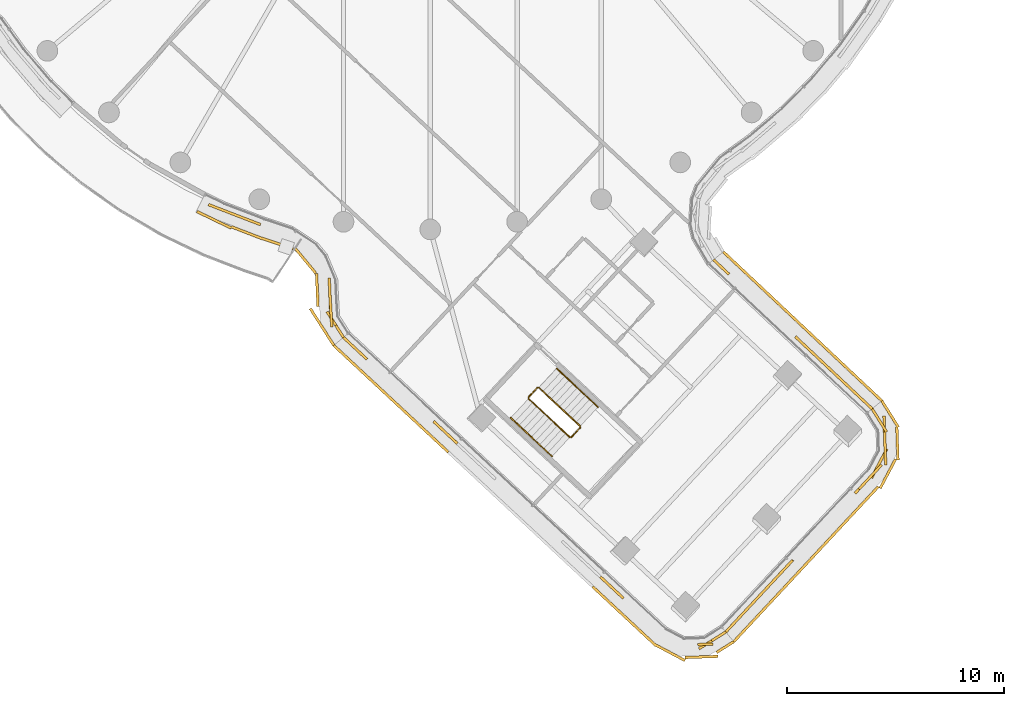
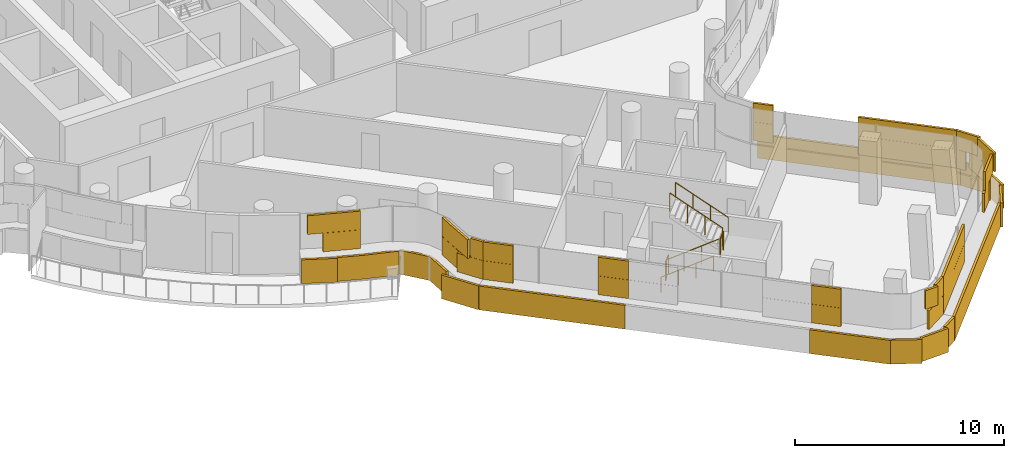
# One storey, part 24 of 30: 6 railings, 5 coverings.
"""IFC4 building model written with IfcOpenShell, lengths in metres."""

from ifc_helpers import new_model, si_unit, direction, frame, origin, origin_2d, place, context, subcontext, project, spatial, rectangle, circle, extrude, material, layer, layer_set, type_object, element, save


model = new_model("IFC4")

# Units and contexts
model_context = context("Model", 3, precision=1e-05, world=origin(), true_north=direction((0.0, 1.0)))
body_context = subcontext(model_context, "Body", "Model", "MODEL_VIEW")
ifc_project = project(units=[si_unit("LENGTHUNIT", "METRE"), si_unit("AREAUNIT", "SQUARE_METRE"), si_unit("VOLUMEUNIT", "CUBIC_METRE"), si_unit("PLANEANGLEUNIT", "RADIAN"), si_unit("MASSUNIT", "GRAM", prefix="KILO")], contexts=[model_context])

# Site, building, storey
site_placement = place(None, origin())
site = spatial("IfcSite", under=ifc_project, at=site_placement, CompositionType="ELEMENT")
building_placement = place(site_placement, origin())
building = spatial("IfcBuilding", under=site, at=building_placement, Name="Tamarind Cross Interchange Tower", CompositionType="ELEMENT")
storey_placement = place(building_placement, frame((0.0, 0.0, 204.10009765625)))
storey = spatial("IfcBuildingStorey", under=building, at=storey_placement, Name="L51", CompositionType="ELEMENT", Elevation=204.10009765625)

# Railings
ifc_material_1 = material(Name="Stair guard")
railing_type_1 = type_object("IfcRailingType", Name="Stair guard", PredefinedType="GUARDRAIL", material=ifc_material_1)
railing_1_placement = place(storey_placement, frame((4.519287109375, -30.791259765625, 0.16357421875)))
element("IfcRailing", 1, at=railing_1_placement, inside=storey, type_object=railing_type_1, Name="L51 ST6 stair guard 1", PredefinedType="GUARDRAIL", context=body_context, shape_type="SweptSolid", body=[
    extrude(circle(Radius=0.02392578125, at=origin_2d()), frame((0.0, 0.0, 1.076171875), z_axis=(0.619155586453, -0.577036158803, 0.532612083225), x_axis=(0.681786135412, 0.731551546756, 0.0)), (0.0, 0.0, 1.0), 3.072021484375),
    extrude(circle(Radius=0.02099609375, at=origin_2d()), origin(), (0.0, 0.0, 1.0), 1.052001953125),
    extrude(circle(Radius=0.02099609375, at=origin_2d()), frame((0.634033203125, -0.5908203125, 0.54541015625)), (0.0, 0.0, 1.0), 1.052001953125),
    extrude(circle(Radius=0.02099609375, at=origin_2d()), frame((1.26806640625, -1.181884765625, 1.0908203125)), (0.0, 0.0, 1.0), 1.052001953125),
    extrude(circle(Radius=0.02099609375, at=origin_2d()), frame((1.902099609375, -1.772705078125, 1.63623046875)), (0.0, 0.0, 1.0), 1.052001953125),
])
railing_2_placement = place(storey_placement, frame((6.491943359375, -32.5615234375, 1.7998046875)))
element("IfcRailing", 2, at=railing_2_placement, inside=storey, type_object=railing_type_1, Name="L51 ST6 stair guard 2", PredefinedType="GUARDRAIL", context=body_context, shape_type="SweptSolid", body=[
    extrude(circle(Radius=0.02392578125, at=origin_2d()), frame((0.0, 0.0, 1.076171875), z_axis=(0.681854263948, 0.731488046885, 0.0), x_axis=(-0.731488046885, 0.681854263948, 0.0)), (0.0, 0.0, 1.0), 0.60009765625),
    extrude(circle(Radius=0.02099609375, at=origin_2d()), origin(), (0.0, 0.0, 1.0), 1.052001953125),
    extrude(circle(Radius=0.02099609375, at=origin_2d()), frame((0.4091796875, 0.43896484375, 0.0)), (0.0, 0.0, 1.0), 1.052001953125),
])
railing_3_placement = place(storey_placement, frame((6.898681640625, -32.052001953125, 1.963623046875)))
element("IfcRailing", 3, at=railing_3_placement, inside=storey, type_object=railing_type_1, Name="L51 ST6 stair guard 3", PredefinedType="GUARDRAIL", context=body_context, shape_type="SweptSolid", body=[
    extrude(circle(Radius=0.02392578125, at=origin_2d()), frame((0.0, 0.0, 1.076171875), z_axis=(-0.619155586453, 0.577036158803, 0.532612083225), x_axis=(-0.681786135412, -0.731551546756, 0.0)), (0.0, 0.0, 1.0), 3.072021484375),
    extrude(circle(Radius=0.02099609375, at=origin_2d()), origin(), (0.0, 0.0, 1.0), 1.052001953125),
    extrude(circle(Radius=0.02099609375, at=origin_2d()), frame((-0.634033203125, 0.5908203125, 0.54541015625)), (0.0, 0.0, 1.0), 1.052001953125),
    extrude(circle(Radius=0.02099609375, at=origin_2d()), frame((-1.26806640625, 1.181884765625, 1.0908203125)), (0.0, 0.0, 1.0), 1.052001953125),
    extrude(circle(Radius=0.02099609375, at=origin_2d()), frame((-1.902099609375, 1.772705078125, 1.63623046875)), (0.0, 0.0, 1.0), 1.052001953125),
])
railing_4_placement = place(storey_placement, frame((4.516845703125, -30.720703125, 0.0)))
element("IfcRailing", 4, at=railing_4_placement, inside=storey, type_object=railing_type_1, Name="L51 ST6 stair guard 4", PredefinedType="GUARDRAIL", context=body_context, shape_type="SweptSolid", body=[
    extrude(circle(Radius=0.02392578125, at=origin_2d()), frame((0.0, 0.0, 1.076171875), z_axis=(0.681854263948, 0.731488046885, 0.0), x_axis=(-0.731488046885, 0.681854263948, 0.0)), (0.0, 0.0, 1.0), 0.60009765625),
    extrude(circle(Radius=0.02099609375, at=origin_2d()), origin(), (0.0, 0.0, 1.0), 1.052001953125),
    extrude(circle(Radius=0.02099609375, at=origin_2d()), frame((0.4091796875, 0.43896484375, 0.0)), (0.0, 0.0, 1.0), 1.052001953125),
])
ifc_material_2 = material(Name="Stair handrail")
railing_type_2 = type_object("IfcRailingType", Name="Stair handrail", PredefinedType="HANDRAIL", material=ifc_material_2)
railing_5_placement = place(storey_placement, frame((3.701171875, -31.669189453125, 0.16357421875)))
element("IfcRailing", 5, at=railing_5_placement, inside=storey, type_object=railing_type_2, Name="L51 ST6 stair handrail 1", PredefinedType="HANDRAIL", context=body_context, shape_type="SweptSolid", body=[
    extrude(circle(Radius=0.02392578125, at=origin_2d()), frame((0.0, 0.0, 0.8759765625), z_axis=(0.619155586453, -0.577036158803, 0.532612083225), x_axis=(0.681786135412, 0.731551546756, 0.0)), (0.0, 0.0, 1.0), 3.072021484375),
    extrude(circle(Radius=0.02099609375, at=origin_2d()), origin(), (0.0, 0.0, 1.0), 0.851806640625),
    extrude(circle(Radius=0.02099609375, at=origin_2d()), frame((0.634033203125, -0.5908203125, 0.54541015625)), (0.0, 0.0, 1.0), 0.851806640625),
    extrude(circle(Radius=0.02099609375, at=origin_2d()), frame((1.26806640625, -1.181884765625, 1.0908203125)), (0.0, 0.0, 1.0), 0.851806640625),
    extrude(circle(Radius=0.02099609375, at=origin_2d()), frame((1.902099609375, -1.772705078125, 1.63623046875)), (0.0, 0.0, 1.0), 0.851806640625),
])
railing_6_placement = place(storey_placement, frame((7.716796875, -31.174072265625, 1.963623046875)))
element("IfcRailing", 6, at=railing_6_placement, inside=storey, type_object=railing_type_2, Name="L51 ST6 stair handrail 2", PredefinedType="HANDRAIL", context=body_context, shape_type="SweptSolid", body=[
    extrude(circle(Radius=0.02392578125, at=origin_2d()), frame((0.0, 0.0, 0.8759765625), z_axis=(-0.619155586453, 0.577036158803, 0.532612083225), x_axis=(-0.681786135412, -0.731551546756, 0.0)), (0.0, 0.0, 1.0), 3.072021484375),
    extrude(circle(Radius=0.02099609375, at=origin_2d()), origin(), (0.0, 0.0, 1.0), 0.851806640625),
    extrude(circle(Radius=0.02099609375, at=origin_2d()), frame((-0.634033203125, 0.5908203125, 0.54541015625)), (0.0, 0.0, 1.0), 0.851806640625),
    extrude(circle(Radius=0.02099609375, at=origin_2d()), frame((-1.26806640625, 1.181884765625, 1.0908203125)), (0.0, 0.0, 1.0), 0.851806640625),
    extrude(circle(Radius=0.02099609375, at=origin_2d()), frame((-1.902099609375, 1.772705078125, 1.63623046875)), (0.0, 0.0, 1.0), 0.851806640625),
])

# Coverings
ifc_material_3 = material(Name="Terracotta", Category="masonry")
ifc_layer = layer(ifc_material_3, 0.1201171875)
ifc_layer_set = layer_set([ifc_layer], Name="Terracotta")
covering_type = type_object("IfcCoveringType", Name="Terracotta baguette screen unit", PredefinedType="MOLDING", material=ifc_layer_set)
covering_1_placement = place(storey_placement, origin())
element("IfcCovering", 7, at=covering_1_placement, inside=storey, type_object=covering_type, Name="SCR-L51-02-01", PredefinedType="MOLDING", context=body_context, shape_type="SweptSolid", body=[
    extrude(rectangle(XDim=1.52001953125, YDim=0.1201171875, at=origin_2d()), frame((-8.799072265625, -22.399658203125, 1.40380859375), z_axis=(0.0, 0.0, 1.0), x_axis=(0.933146843667, -0.359495435512, 0.0)), (0.0, 0.0, 1.0), 1.092041015625),
    extrude(rectangle(XDim=0.313232421875, YDim=0.1201171875, at=origin_2d()), frame((-7.957763671875, -22.723876953125, 1.40380859375), z_axis=(0.0, 0.0, 1.0), x_axis=(0.933146843667, -0.359495435512, 0.0)), (0.0, 0.0, 1.0), 1.092041015625),
    extrude(rectangle(XDim=1.5068359375, YDim=0.1201171875, at=origin_2d()), frame((-4.618408203125, -25.988525390625, 1.40380859375), z_axis=(0.0, 0.0, 1.0), x_axis=(0.044216981257, -0.999021950994, 0.0)), (0.0, 0.0, 1.0), 1.092041015625),
    extrude(rectangle(XDim=1.4052734375, YDim=0.1201171875, at=origin_2d()), frame((-4.37060546875, -27.37939453125, 1.40380859375), z_axis=(0.0, 0.0, 1.0), x_axis=(0.53717022134, -0.843473860475, 0.0)), (0.0, 0.0, 1.0), 1.092041015625),
    extrude(rectangle(XDim=1.52001953125, YDim=0.1201171875, at=origin_2d()), frame((-9.498779296875, -22.130126953125, 2.50390625), z_axis=(0.0, 0.0, 1.0), x_axis=(0.933146843667, -0.359495435512, 0.0)), (0.0, 0.0, 1.0), 1.092041015625),
    extrude(rectangle(XDim=1.063232421875, YDim=0.1201171875, at=origin_2d()), frame((-8.3076171875, -22.589111328125, 2.50390625), z_axis=(0.0, 0.0, 1.0), x_axis=(0.933146843667, -0.359495435512, 0.0)), (0.0, 0.0, 1.0), 1.092041015625),
    extrude(rectangle(XDim=0.7568359375, YDim=0.1201171875, at=origin_2d()), frame((-4.635009765625, -25.614013671875, 2.50390625), z_axis=(0.0, 0.0, 1.0), x_axis=(0.044216981257, -0.999021950994, 0.0)), (0.0, 0.0, 1.0), 1.092041015625),
    extrude(rectangle(XDim=1.52001953125, YDim=0.1201171875, at=origin_2d()), frame((-4.574951171875, -26.735595703125, 2.50390625), z_axis=(0.0, 0.0, 1.0), x_axis=(0.060031687027, -0.99819647192, 0.0)), (0.0, 0.0, 1.0), 1.092041015625),
    extrude(rectangle(XDim=0.6552734375, YDim=0.1201171875, at=origin_2d()), frame((-4.169189453125, -27.695556640625, 2.50390625), z_axis=(0.0, 0.0, 1.0), x_axis=(0.53717022134, -0.843473860475, 0.0)), (0.0, 0.0, 1.0), 1.092041015625),
    extrude(rectangle(XDim=0.249267578125, YDim=0.1201171875, at=origin_2d()), frame((-10.619873046875, -22.233642578125, 0.00390625), z_axis=(0.0, 0.0, 1.0), x_axis=(0.900272776334, -0.435326231914, 0.0)), (0.0, 0.0, 1.0), 1.39208984375),
    extrude(rectangle(XDim=1.52001953125, YDim=0.1201171875, at=origin_2d()), frame((-9.84130859375, -22.610107421875, 0.00390625), z_axis=(0.0, 0.0, 1.0), x_axis=(0.900272776334, -0.435326231914, 0.0)), (0.0, 0.0, 1.0), 1.39208984375),
    extrude(rectangle(XDim=1.52001953125, YDim=0.1201171875, at=origin_2d()), frame((-8.44287109375, -23.152099609375, 0.00390625), z_axis=(0.0, 0.0, 1.0), x_axis=(0.933146843667, -0.359495435512, 0.0)), (0.0, 0.0, 1.0), 1.39208984375),
    extrude(rectangle(XDim=1.52001953125, YDim=0.1201171875, at=origin_2d()), frame((-7.028564453125, -23.65087890625, 0.00390625), z_axis=(0.0, 0.0, 1.0), x_axis=(0.94859176234, -0.316502240782, 0.0)), (0.0, 0.0, 1.0), 1.39208984375),
    extrude(rectangle(XDim=1.52001953125, YDim=0.1201171875, at=origin_2d()), frame((-5.7587890625, -24.425048828125, 0.00390625), z_axis=(0.0, 0.0, 1.0), x_axis=(0.637684419714, -0.770297722218, 0.0)), (0.0, 0.0, 1.0), 1.39208984375),
    extrude(rectangle(XDim=1.52001953125, YDim=0.1201171875, at=origin_2d()), frame((-5.2021484375, -25.785888671875, 0.00390625), z_axis=(0.0, 0.0, 1.0), x_axis=(0.044216981257, -0.999021950994, 0.0)), (0.0, 0.0, 1.0), 1.39208984375),
    extrude(rectangle(XDim=1.52001953125, YDim=0.1201171875, at=origin_2d()), frame((-5.113037109375, -27.2822265625, 0.00390625), z_axis=(0.0, 0.0, 1.0), x_axis=(0.53717022134, -0.843473860475, 0.0)), (0.0, 0.0, 1.0), 1.39208984375),
    extrude(rectangle(XDim=0.511474609375, YDim=0.1201171875, at=origin_2d()), frame((-4.578125, -28.1220703125, 0.00390625), z_axis=(0.0, 0.0, 1.0), x_axis=(0.53717022134, -0.843473860475, 0.0)), (0.0, 0.0, 1.0), 1.39208984375),
])
covering_2_placement = place(storey_placement, origin())
element("IfcCovering", 8, at=covering_2_placement, inside=storey, type_object=covering_type, Name="SCR-L51-03-00", PredefinedType="MOLDING", context=body_context, shape_type="SweptSolid", body=[
    extrude(rectangle(XDim=0.760009765625, YDim=0.1201171875, at=origin_2d()), frame((-3.721435546875, -28.223388671875, 1.40380859375), z_axis=(0.0, 0.0, 1.0), x_axis=(0.73154412297, -0.681794100992, 0.0)), (0.0, 0.0, 1.0), 1.092041015625),
    extrude(rectangle(XDim=0.735595703125, YDim=0.1201171875, at=origin_2d()), frame((-3.181640625, -28.7265625, 1.40380859375), z_axis=(0.0, 0.0, 1.0), x_axis=(0.73154412297, -0.681794100992, 0.0)), (0.0, 0.0, 1.0), 1.092041015625),
    extrude(rectangle(XDim=1.08447265625, YDim=0.1201171875, at=origin_2d()), frame((0.549072265625, -32.20361328125, 1.40380859375), z_axis=(0.0, 0.0, 1.0), x_axis=(0.73154412297, -0.681794100992, 0.0)), (0.0, 0.0, 1.0), 1.092041015625),
    extrude(rectangle(XDim=0.4111328125, YDim=0.1201171875, at=origin_2d()), frame((1.0888671875, -32.70654296875, 1.40380859375), z_axis=(0.0, 0.0, 1.0), x_axis=(0.73154412297, -0.681794100992, 0.0)), (0.0, 0.0, 1.0), 1.092041015625),
    extrude(rectangle(XDim=1.4755859375, YDim=0.1201171875, at=origin_2d()), frame((-3.4560546875, -28.470703125, 2.50390625), z_axis=(0.0, 0.0, 1.0), x_axis=(0.73154412297, -0.681794100992, 0.0)), (0.0, 0.0, 1.0), 1.092041015625),
    extrude(rectangle(XDim=0.33447265625, YDim=0.1201171875, at=origin_2d()), frame((0.27490234375, -31.947998046875, 2.50390625), z_axis=(0.0, 0.0, 1.0), x_axis=(0.73154412297, -0.681794100992, 0.0)), (0.0, 0.0, 1.0), 1.092041015625),
    extrude(rectangle(XDim=1.1611328125, YDim=0.1201171875, at=origin_2d()), frame((0.814453125, -32.450927734375, 2.50390625), z_axis=(0.0, 0.0, 1.0), x_axis=(0.73154412297, -0.681794100992, 0.0)), (0.0, 0.0, 1.0), 1.092041015625),
    extrude(rectangle(XDim=0.760009765625, YDim=0.1201171875, at=origin_2d()), frame((-4.16259765625, -28.596923828125, 0.00390625), z_axis=(0.0, 0.0, 1.0), x_axis=(0.73154412297, -0.681794100992, 0.0)), (0.0, 0.0, 1.0), 1.39208984375),
    extrude(rectangle(XDim=1.52001953125, YDim=0.1201171875, at=origin_2d()), frame((-3.34326171875, -29.360595703125, 0.00390625), z_axis=(0.0, 0.0, 1.0), x_axis=(0.73154412297, -0.681794100992, 0.0)), (0.0, 0.0, 1.0), 1.39208984375),
    extrude(rectangle(XDim=1.52001953125, YDim=0.1201171875, at=origin_2d()), frame((-2.24609375, -30.383056640625, 0.00390625), z_axis=(0.0, 0.0, 1.0), x_axis=(0.73154412297, -0.681794100992, 0.0)), (0.0, 0.0, 1.0), 1.39208984375),
    extrude(rectangle(XDim=1.52001953125, YDim=0.1201171875, at=origin_2d()), frame((-1.148681640625, -31.40576171875, 0.00390625), z_axis=(0.0, 0.0, 1.0), x_axis=(0.73154412297, -0.681794100992, 0.0)), (0.0, 0.0, 1.0), 1.39208984375),
    extrude(rectangle(XDim=1.52001953125, YDim=0.1201171875, at=origin_2d()), frame((-0.051513671875, -32.428466796875, 0.00390625), z_axis=(0.0, 0.0, 1.0), x_axis=(0.73154412297, -0.681794100992, 0.0)), (0.0, 0.0, 1.0), 1.39208984375),
    extrude(rectangle(XDim=0.46435546875, YDim=0.1201171875, at=origin_2d()), frame((0.65966796875, -33.09130859375, 0.00390625), z_axis=(0.0, 0.0, 1.0), x_axis=(0.73154412297, -0.681794100992, 0.0)), (0.0, 0.0, 1.0), 1.39208984375),
])
covering_3_placement = place(storey_placement, origin())
element("IfcCovering", 9, at=covering_3_placement, inside=storey, type_object=covering_type, Name="SCR-L51-03-02", PredefinedType="MOLDING", context=body_context, shape_type="SweptSolid", body=[
    extrude(rectangle(XDim=1.098388671875, YDim=0.1201171875, at=origin_2d()), frame((8.225341796875, -39.357666015625, 1.40380859375), z_axis=(0.0, 0.0, 1.0), x_axis=(0.73154412297, -0.681794100992, 0.0)), (0.0, 0.0, 1.0), 1.092041015625),
    extrude(rectangle(XDim=0.370849609375, YDim=0.1201171875, at=origin_2d()), frame((8.75537109375, -39.851806640625, 1.40380859375), z_axis=(0.0, 0.0, 1.0), x_axis=(0.73154412297, -0.681794100992, 0.0)), (0.0, 0.0, 1.0), 1.092041015625),
    extrude(rectangle(XDim=1.44921875, YDim=0.1201171875, at=origin_2d()), frame((12.978515625, -41.91015625, 1.40380859375), z_axis=(0.0, 0.0, 1.0), x_axis=(0.847900081717, 0.530156063272, 0.0)), (0.0, 0.0, 1.0), 1.092041015625),
    extrude(rectangle(XDim=0.348388671875, YDim=0.1201171875, at=origin_2d()), frame((7.950927734375, -39.10205078125, 2.50390625), z_axis=(0.0, 0.0, 1.0), x_axis=(0.73154412297, -0.681794100992, 0.0)), (0.0, 0.0, 1.0), 1.092041015625),
    extrude(rectangle(XDim=1.120849609375, YDim=0.1201171875, at=origin_2d()), frame((8.48095703125, -39.595947265625, 2.50390625), z_axis=(0.0, 0.0, 1.0), x_axis=(0.73154412297, -0.681794100992, 0.0)), (0.0, 0.0, 1.0), 1.092041015625),
    extrude(rectangle(XDim=0.69921875, YDim=0.1201171875, at=origin_2d()), frame((12.655517578125, -42.092529296875, 2.50390625), z_axis=(0.0, 0.0, 1.0), x_axis=(0.999381042274, 0.035178577905, 0.0)), (0.0, 0.0, 1.0), 1.092041015625),
    extrude(rectangle(XDim=0.769775390625, YDim=0.1201171875, at=origin_2d()), frame((13.27490234375, -41.724853515625, 2.50390625), z_axis=(0.0, 0.0, 1.0), x_axis=(0.847900081717, 0.530156063272, 0.0)), (0.0, 0.0, 1.0), 1.092041015625),
    extrude(rectangle(XDim=0.978271484375, YDim=0.1201171875, at=origin_2d()), frame((7.827880859375, -39.77197265625, 0.00390625), z_axis=(0.0, 0.0, 1.0), x_axis=(0.73154412297, -0.681794100992, 0.0)), (0.0, 0.0, 1.0), 1.39208984375),
    extrude(rectangle(XDim=1.52001953125, YDim=0.1201171875, at=origin_2d()), frame((8.72705078125, -40.610107421875, 0.00390625), z_axis=(0.0, 0.0, 1.0), x_axis=(0.73154412297, -0.681794100992, 0.0)), (0.0, 0.0, 1.0), 1.39208984375),
    extrude(rectangle(XDim=1.52001953125, YDim=0.1201171875, at=origin_2d()), frame((9.824462890625, -41.6328125, 0.00390625), z_axis=(0.0, 0.0, 1.0), x_axis=(0.73154412297, -0.681794100992, 0.0)), (0.0, 0.0, 1.0), 1.39208984375),
    extrude(rectangle(XDim=1.52001953125, YDim=0.1201171875, at=origin_2d()), frame((11.045654296875, -42.481689453125, 0.00390625), z_axis=(0.0, 0.0, 1.0), x_axis=(0.883078659622, -0.469224979002, 0.0)), (0.0, 0.0, 1.0), 1.39208984375),
    extrude(rectangle(XDim=1.52001953125, YDim=0.1201171875, at=origin_2d()), frame((12.488525390625, -42.672607421875, 0.00390625), z_axis=(0.0, 0.0, 1.0), x_axis=(0.999381042274, 0.035178577905, 0.0)), (0.0, 0.0, 1.0), 1.39208984375),
    extrude(rectangle(XDim=0.934814453125, YDim=0.1201171875, at=origin_2d()), frame((13.569091796875, -42.2177734375, 0.00390625), z_axis=(0.0, 0.0, 1.0), x_axis=(0.847900081717, 0.530156063272, 0.0)), (0.0, 0.0, 1.0), 1.39208984375),
])
covering_4_placement = place(storey_placement, origin())
element("IfcCovering", 10, at=covering_4_placement, inside=storey, type_object=covering_type, Name="SCR-L51-04-00", PredefinedType="MOLDING", context=body_context, shape_type="SweptSolid", body=[
    extrude(rectangle(XDim=0.760009765625, YDim=0.1201171875, at=origin_2d()), frame((13.8525390625, -41.2490234375, 1.40380859375), z_axis=(0.0, 0.0, 1.0), x_axis=(0.681794100992, 0.73154412297, 0.0)), (0.0, 0.0, 1.0), 1.092041015625),
    extrude(rectangle(XDim=1.52001953125, YDim=0.1201171875, at=origin_2d()), frame((14.61962890625, -40.426025390625, 1.40380859375), z_axis=(0.0, 0.0, 1.0), x_axis=(0.681794100992, 0.73154412297, 0.0)), (0.0, 0.0, 1.0), 1.092041015625),
    extrude(rectangle(XDim=1.52001953125, YDim=0.1201171875, at=origin_2d()), frame((15.642333984375, -39.32861328125, 1.40380859375), z_axis=(0.0, 0.0, 1.0), x_axis=(0.681794100992, 0.73154412297, 0.0)), (0.0, 0.0, 1.0), 1.092041015625),
    extrude(rectangle(XDim=0.78466796875, YDim=0.1201171875, at=origin_2d()), frame((16.417724609375, -38.49658203125, 1.40380859375), z_axis=(0.0, 0.0, 1.0), x_axis=(0.681794100992, 0.73154412297, 0.0)), (0.0, 0.0, 1.0), 1.092041015625),
    extrude(rectangle(XDim=1.03515625, YDim=0.1201171875, at=origin_2d()), frame((19.89501953125, -34.765869140625, 1.40380859375), z_axis=(0.0, 0.0, 1.0), x_axis=(0.681794100992, 0.73154412297, 0.0)), (0.0, 0.0, 1.0), 1.092041015625),
    extrude(rectangle(XDim=1.52001953125, YDim=0.1201171875, at=origin_2d()), frame((20.654541015625, -33.77001953125, 1.40380859375), z_axis=(0.0, 0.0, 1.0), x_axis=(0.469224979002, 0.883078659622, 0.0)), (0.0, 0.0, 1.0), 1.092041015625),
    extrude(rectangle(XDim=1.52001953125, YDim=0.1201171875, at=origin_2d()), frame((20.90185546875, -32.340087890625, 1.40380859375), z_axis=(0.0, 0.0, 1.0), x_axis=(-0.035178577905, 0.999381042274, 0.0)), (0.0, 0.0, 1.0), 1.092041015625),
    extrude(rectangle(XDim=0.509521484375, YDim=0.1201171875, at=origin_2d()), frame((20.460205078125, -31.46533203125, 1.40380859375), z_axis=(0.0, 0.0, 1.0), x_axis=(-0.530156063272, 0.847900081717, 0.0)), (0.0, 0.0, 1.0), 1.092041015625),
    extrude(rectangle(XDim=1.510009765625, YDim=0.1201171875, at=origin_2d()), frame((14.1083984375, -40.974609375, 2.50390625), z_axis=(0.0, 0.0, 1.0), x_axis=(0.681794100992, 0.73154412297, 0.0)), (0.0, 0.0, 1.0), 1.092041015625),
    extrude(rectangle(XDim=1.52001953125, YDim=0.1201171875, at=origin_2d()), frame((15.131103515625, -39.87744140625, 2.50390625), z_axis=(0.0, 0.0, 1.0), x_axis=(0.681794100992, 0.73154412297, 0.0)), (0.0, 0.0, 1.0), 1.092041015625),
    extrude(rectangle(XDim=1.52001953125, YDim=0.1201171875, at=origin_2d()), frame((16.15380859375, -38.780029296875, 2.50390625), z_axis=(0.0, 0.0, 1.0), x_axis=(0.681794100992, 0.73154412297, 0.0)), (0.0, 0.0, 1.0), 1.092041015625),
    extrude(rectangle(XDim=1.52001953125, YDim=0.1201171875, at=origin_2d()), frame((20.244384765625, -34.390869140625, 2.50390625), z_axis=(0.0, 0.0, 1.0), x_axis=(0.681794100992, 0.73154412297, 0.0)), (0.0, 0.0, 1.0), 1.092041015625),
    extrude(rectangle(XDim=1.52001953125, YDim=0.1201171875, at=origin_2d()), frame((20.92822265625, -33.089599609375, 2.50390625), z_axis=(0.0, 0.0, 1.0), x_axis=(-0.035178577905, 0.999381042274, 0.0)), (0.0, 0.0, 1.0), 1.092041015625),
    extrude(rectangle(XDim=1.259521484375, YDim=0.1201171875, at=origin_2d()), frame((20.658935546875, -31.783203125, 2.50390625), z_axis=(0.0, 0.0, 1.0), x_axis=(-0.530156063272, 0.847900081717, 0.0)), (0.0, 0.0, 1.0), 1.092041015625),
    extrude(rectangle(XDim=0.760009765625, YDim=0.1201171875, at=origin_2d()), frame((14.224365234375, -41.69189453125, 0.00390625), z_axis=(0.0, 0.0, 1.0), x_axis=(0.681794100992, 0.73154412297, 0.0)), (0.0, 0.0, 1.0), 1.39208984375),
    extrude(rectangle(XDim=1.52001953125, YDim=0.1201171875, at=origin_2d()), frame((14.988037109375, -40.87255859375, 0.00390625), z_axis=(0.0, 0.0, 1.0), x_axis=(0.681794100992, 0.73154412297, 0.0)), (0.0, 0.0, 1.0), 1.39208984375),
    extrude(rectangle(XDim=1.52001953125, YDim=0.1201171875, at=origin_2d()), frame((16.0107421875, -39.775390625, 0.00390625), z_axis=(0.0, 0.0, 1.0), x_axis=(0.681794100992, 0.73154412297, 0.0)), (0.0, 0.0, 1.0), 1.39208984375),
    extrude(rectangle(XDim=1.52001953125, YDim=0.1201171875, at=origin_2d()), frame((17.033447265625, -38.677978515625, 0.00390625), z_axis=(0.0, 0.0, 1.0), x_axis=(0.681794100992, 0.73154412297, 0.0)), (0.0, 0.0, 1.0), 1.39208984375),
    extrude(rectangle(XDim=1.52001953125, YDim=0.1201171875, at=origin_2d()), frame((18.05615234375, -37.580810546875, 0.00390625), z_axis=(0.0, 0.0, 1.0), x_axis=(0.681794100992, 0.73154412297, 0.0)), (0.0, 0.0, 1.0), 1.39208984375),
    extrude(rectangle(XDim=1.52001953125, YDim=0.1201171875, at=origin_2d()), frame((19.078857421875, -36.4833984375, 0.00390625), z_axis=(0.0, 0.0, 1.0), x_axis=(0.681794100992, 0.73154412297, 0.0)), (0.0, 0.0, 1.0), 1.39208984375),
    extrude(rectangle(XDim=1.52001953125, YDim=0.1201171875, at=origin_2d()), frame((20.1015625, -35.385986328125, 0.00390625), z_axis=(0.0, 0.0, 1.0), x_axis=(0.681794100992, 0.73154412297, 0.0)), (0.0, 0.0, 1.0), 1.39208984375),
    extrude(rectangle(XDim=1.52001953125, YDim=0.1201171875, at=origin_2d()), frame((21.05517578125, -34.239501953125, 0.00390625), z_axis=(0.0, 0.0, 1.0), x_axis=(0.469224979002, 0.883078659622, 0.0)), (0.0, 0.0, 1.0), 1.39208984375),
    extrude(rectangle(XDim=1.52001953125, YDim=0.1201171875, at=origin_2d()), frame((21.494384765625, -32.853759765625, 0.00390625), z_axis=(0.0, 0.0, 1.0), x_axis=(-0.035178577905, 0.999381042274, 0.0)), (0.0, 0.0, 1.0), 1.39208984375),
    extrude(rectangle(XDim=1.42578125, YDim=0.1201171875, at=origin_2d()), frame((21.153076171875, -31.49072265625, 0.00390625), z_axis=(0.0, 0.0, 1.0), x_axis=(-0.530156063272, 0.847900081717, 0.0)), (0.0, 0.0, 1.0), 1.39208984375),
])
covering_5_placement = place(storey_placement, origin())
element("IfcCovering", 11, at=covering_5_placement, inside=storey, type_object=covering_type, Name="SCR-L51-05-00", PredefinedType="MOLDING", context=body_context, shape_type="SweptSolid", body=[
    extrude(rectangle(XDim=0.760009765625, YDim=0.1201171875, at=origin_2d()), frame((20.054443359375, -30.996826171875, 1.40380859375), z_axis=(0.0, 0.0, 1.0), x_axis=(-0.728608644687, 0.684930246732, 0.0)), (0.0, 0.0, 1.0), 1.092041015625),
    extrude(rectangle(XDim=1.52001953125, YDim=0.1201171875, at=origin_2d()), frame((19.23486328125, -30.22607421875, 1.40380859375), z_axis=(0.0, 0.0, 1.0), x_axis=(-0.728608644687, 0.684930246732, 0.0)), (0.0, 0.0, 1.0), 1.092041015625),
    extrude(rectangle(XDim=1.52001953125, YDim=0.1201171875, at=origin_2d()), frame((18.141845703125, -29.19873046875, 1.40380859375), z_axis=(0.0, 0.0, 1.0), x_axis=(-0.728608644687, 0.684930246732, 0.0)), (0.0, 0.0, 1.0), 1.092041015625),
    extrude(rectangle(XDim=1.100830078125, YDim=0.1201171875, at=origin_2d()), frame((17.197998046875, -28.3115234375, 1.40380859375), z_axis=(0.0, 0.0, 1.0), x_axis=(-0.728608644687, 0.684930246732, 0.0)), (0.0, 0.0, 1.0), 1.092041015625),
    extrude(rectangle(XDim=0.71923828125, YDim=0.1201171875, at=origin_2d()), frame((13.482177734375, -24.818359375, 1.40380859375), z_axis=(0.0, 0.0, 1.0), x_axis=(-0.728608644687, 0.684930246732, 0.0)), (0.0, 0.0, 1.0), 1.092041015625),
    extrude(rectangle(XDim=0.274658203125, YDim=0.1201171875, at=origin_2d()), frame((13.12744140625, -24.48486328125, 1.40380859375), z_axis=(0.0, 0.0, 1.0), x_axis=(-0.728608644687, 0.684930246732, 0.0)), (0.0, 0.0, 1.0), 1.092041015625),
    extrude(rectangle(XDim=1.510009765625, YDim=0.1201171875, at=origin_2d()), frame((19.78125, -30.739990234375, 2.50390625), z_axis=(0.0, 0.0, 1.0), x_axis=(-0.728608644687, 0.684930246732, 0.0)), (0.0, 0.0, 1.0), 1.092041015625),
    extrude(rectangle(XDim=1.52001953125, YDim=0.1201171875, at=origin_2d()), frame((18.6884765625, -29.71240234375, 2.50390625), z_axis=(0.0, 0.0, 1.0), x_axis=(-0.728608644687, 0.684930246732, 0.0)), (0.0, 0.0, 1.0), 1.092041015625),
    extrude(rectangle(XDim=1.52001953125, YDim=0.1201171875, at=origin_2d()), frame((17.595458984375, -28.68505859375, 2.50390625), z_axis=(0.0, 0.0, 1.0), x_axis=(-0.728608644687, 0.684930246732, 0.0)), (0.0, 0.0, 1.0), 1.092041015625),
    extrude(rectangle(XDim=0.350830078125, YDim=0.1201171875, at=origin_2d()), frame((16.9248046875, -28.0546875, 2.50390625), z_axis=(0.0, 0.0, 1.0), x_axis=(-0.728608644687, 0.684930246732, 0.0)), (0.0, 0.0, 1.0), 1.092041015625),
    extrude(rectangle(XDim=0.973876953125, YDim=0.1201171875, at=origin_2d()), frame((13.3857421875, -24.727783203125, 2.50390625), z_axis=(0.0, 0.0, 1.0), x_axis=(-0.728608644687, 0.684930246732, 0.0)), (0.0, 0.0, 1.0), 1.092041015625),
    extrude(rectangle(XDim=0.760009765625, YDim=0.1201171875, at=origin_2d()), frame((20.498291015625, -30.6259765625, 0.00390625), z_axis=(0.0, 0.0, 1.0), x_axis=(-0.728608644687, 0.684930246732, 0.0)), (0.0, 0.0, 1.0), 1.39208984375),
    extrude(rectangle(XDim=1.52001953125, YDim=0.1201171875, at=origin_2d()), frame((19.68212890625, -29.85888671875, 0.00390625), z_axis=(0.0, 0.0, 1.0), x_axis=(-0.728608644687, 0.684930246732, 0.0)), (0.0, 0.0, 1.0), 1.39208984375),
    extrude(rectangle(XDim=1.52001953125, YDim=0.1201171875, at=origin_2d()), frame((18.58935546875, -28.83154296875, 0.00390625), z_axis=(0.0, 0.0, 1.0), x_axis=(-0.728608644687, 0.684930246732, 0.0)), (0.0, 0.0, 1.0), 1.39208984375),
    extrude(rectangle(XDim=1.52001953125, YDim=0.1201171875, at=origin_2d()), frame((17.496337890625, -27.80419921875, 0.00390625), z_axis=(0.0, 0.0, 1.0), x_axis=(-0.728608644687, 0.684930246732, 0.0)), (0.0, 0.0, 1.0), 1.39208984375),
    extrude(rectangle(XDim=1.52001953125, YDim=0.1201171875, at=origin_2d()), frame((16.4033203125, -26.776611328125, 0.00390625), z_axis=(0.0, 0.0, 1.0), x_axis=(-0.728608644687, 0.684930246732, 0.0)), (0.0, 0.0, 1.0), 1.39208984375),
    extrude(rectangle(XDim=1.52001953125, YDim=0.1201171875, at=origin_2d()), frame((15.310546875, -25.749267578125, 0.00390625), z_axis=(0.0, 0.0, 1.0), x_axis=(-0.728608644687, 0.684930246732, 0.0)), (0.0, 0.0, 1.0), 1.39208984375),
    extrude(rectangle(XDim=1.52001953125, YDim=0.1201171875, at=origin_2d()), frame((14.217529296875, -24.721923828125, 0.00390625), z_axis=(0.0, 0.0, 1.0), x_axis=(-0.728608644687, 0.684930246732, 0.0)), (0.0, 0.0, 1.0), 1.39208984375),
    extrude(rectangle(XDim=0.264892578125, YDim=0.1201171875, at=origin_2d()), frame((13.58203125, -24.124267578125, 0.00390625), z_axis=(0.0, 0.0, 1.0), x_axis=(-0.728608644687, 0.684930246732, 0.0)), (0.0, 0.0, 1.0), 1.39208984375),
])

save(model, "model.ifc")
